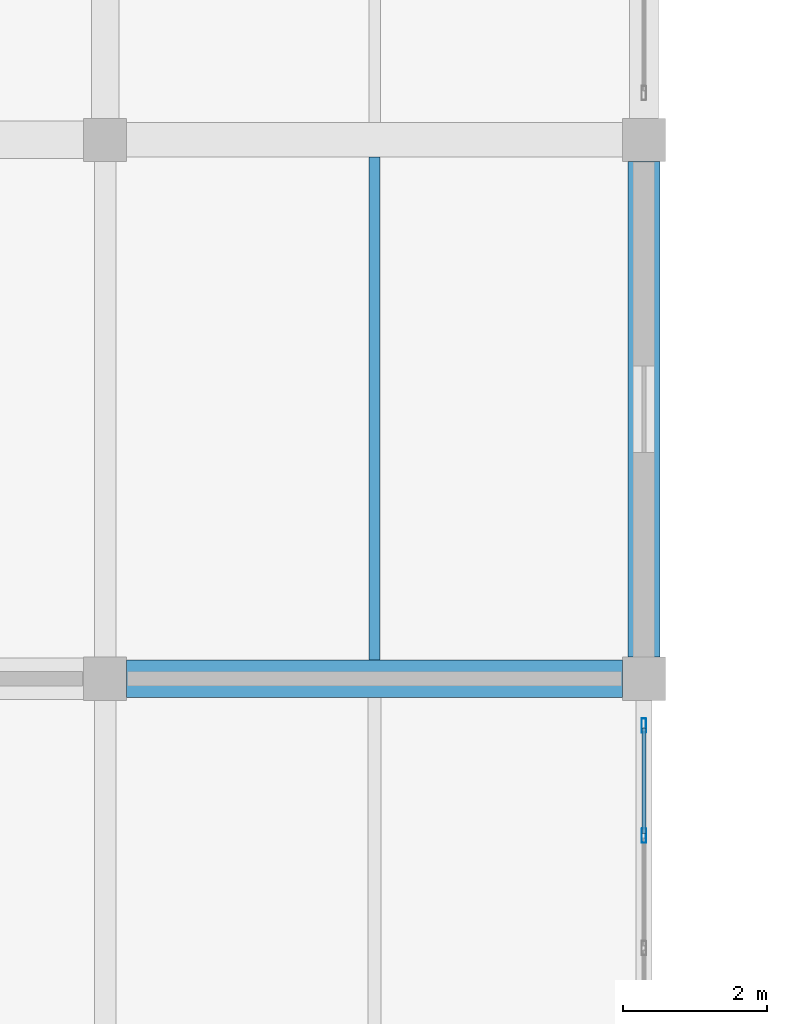
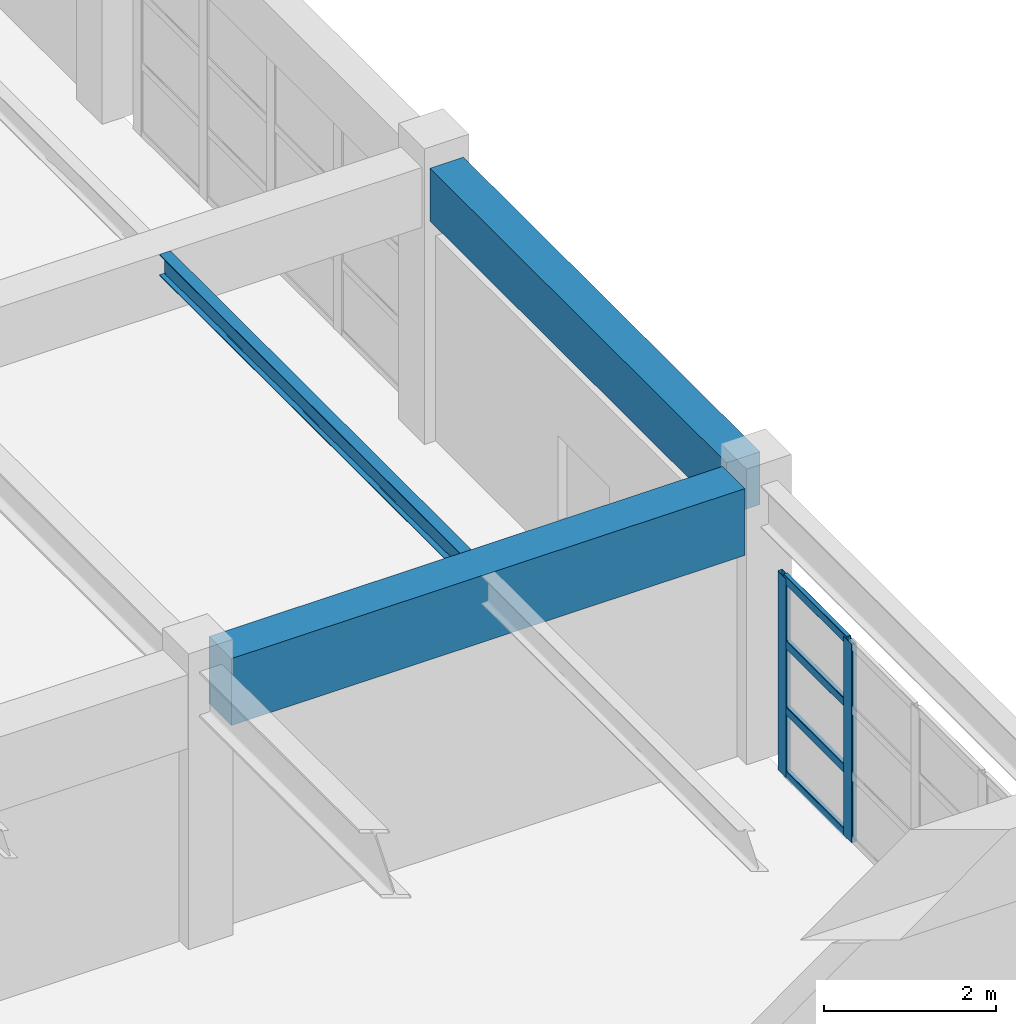
# One storey, part 48 of 124: 6 members, 3 beams, 1 element without a shape of its own.
"""IFC4 building model written with IfcOpenShell, lengths in metres."""

from ifc_helpers import new_model, si_unit, direction, frame, origin, origin_2d, place, context, subcontext, project, spatial, rectangle, hollow_rectangle, i_section, extrude, material, material_profile, profile_set, type_object, element, aggregate, save


model = new_model("IFC4")

# Units and contexts
model_context = context("Model", 3, precision=1e-05, world=origin(), true_north=direction((0.0, 1.0)))
body_context = subcontext(model_context, "Body", "Model", "MODEL_VIEW")
ifc_project = project(units=[si_unit("LENGTHUNIT", "METRE"), si_unit("AREAUNIT", "SQUARE_METRE"), si_unit("VOLUMEUNIT", "CUBIC_METRE"), si_unit("PLANEANGLEUNIT", "RADIAN"), si_unit("MASSUNIT", "GRAM", prefix="KILO")], contexts=[model_context])

# Site, building, storey
site_placement = place(None, origin())
site = spatial("IfcSite", under=ifc_project, at=site_placement, CompositionType="ELEMENT")
building_placement = place(site_placement, origin())
building = spatial("IfcBuilding", under=site, at=building_placement, Name="Qasida Concert Hall", CompositionType="ELEMENT")
storey_placement = place(building_placement, frame((0.0, 0.0, 9.0)))
storey = spatial("IfcBuildingStorey", under=building, at=storey_placement, Name="L02", CompositionType="ELEMENT", Elevation=9.0)

# Beams
ifc_material_1 = material(Name="Concrete C40/50", Category="concrete")
ifc_material_profile_1 = material_profile(ifc_material_1, rectangle(XDim=0.52001953125, YDim=0.949951171875, at=origin_2d()), Name="RC 520x950")
ifc_profile_set_1 = profile_set([ifc_material_profile_1], Name="Concrete C40/50")
beam_type_1 = type_object("IfcBeamType", Name="BM-G7", PredefinedType="USERDEFINED", material=ifc_profile_set_1)
beam_1_placement = place(storey_placement, frame((30.300048828125, 90.0, 3.425048828125), z_axis=(1.0, 0.0, 0.0), x_axis=(0.0, 1.0, 0.0)))
element("IfcBeam", 1, at=beam_1_placement, inside=storey, type_object=beam_type_1, Name="Primary girder 1449", ObjectType="GIRDER", PredefinedType="USERDEFINED", context=body_context, shape_type="SweptSolid", body=[
    extrude(rectangle(XDim=0.52001953125, YDim=0.949951171875, at=origin_2d()), origin(), (0.0, 0.0, 1.0), 6.89990234375),
])
ifc_material_2 = material(Name="Steel S355J2", Category="steel")
ifc_material_profile_2 = material_profile(ifc_material_2, i_section(OverallWidth=0.14990234375, OverallDepth=0.300048828125, WebThickness=0.007080078125, FlangeThickness=0.0107421875, FilletRadius=0.014892578125, at=origin_2d()), Name="IPE 300")
ifc_profile_set_2 = profile_set([ifc_material_profile_2], Name="Steel S355J2")
beam_type_2 = type_object("IfcBeamType", Name="BM-J4", PredefinedType="JOIST", material=ifc_profile_set_2)
beam_2_placement = place(storey_placement, frame((33.75, 90.260009765625, 3.75), z_axis=(0.0, 1.0, 0.0), x_axis=(-1.0, 0.0, 0.0)))
element("IfcBeam", 2, at=beam_2_placement, inside=storey, type_object=beam_type_2, Name="L02 secondary joist 1507", PredefinedType="JOIST", context=body_context, shape_type="SweptSolid", body=[
    extrude(i_section(OverallWidth=0.14990234375, OverallDepth=0.300048828125, WebThickness=0.007080078125, FlangeThickness=0.0107421875, FilletRadius=0.014892578125, at=origin_2d()), origin(), (0.0, 0.0, 1.0), 7.0),
])
ifc_material_profile_3 = material_profile(ifc_material_1, rectangle(XDim=0.449951171875, YDim=0.75, at=origin_2d()), Name="RC 450x750")
ifc_profile_set_3 = profile_set([ifc_material_profile_3], Name="Concrete C40/50")
beam_type_3 = type_object("IfcBeamType", Name="BM-SP4", PredefinedType="SPANDREL", material=ifc_profile_set_3)
beam_3_placement = place(storey_placement, frame((37.5, 90.300048828125, 3.52490234375), z_axis=(0.0, 1.0, 0.0), x_axis=(-1.0, 0.0, 0.0)))
element("IfcBeam", 3, at=beam_3_placement, inside=storey, type_object=beam_type_3, Name="L02 girder 1484", PredefinedType="SPANDREL", context=body_context, shape_type="SweptSolid", body=[
    extrude(rectangle(XDim=0.449951171875, YDim=0.75, at=origin_2d()), origin(), (0.0, 0.0, 1.0), 6.89990234375),
])

# Curtain wall, members
ifc_material_3 = material(Name="Architectural bronze-anodized aluminium and low-E glass", Category="aluminium")
curtain_wall_type = type_object("IfcCurtainWallType", Name="CW-08", PredefinedType="NOTDEFINED", material=ifc_material_3)
curtain_wall_placement = place(storey_placement, origin())
curtain_wall = element("IfcCurtainWall", 4, at=curtain_wall_placement, inside=storey, type_object=curtain_wall_type, Name="L02 curtain wall CW-08 0190", PredefinedType="NOTDEFINED")
ifc_material_4 = material(Name="Architectural bronze-anodized aluminium EN AW-6063", Category="aluminium")
ifc_material_profile_4 = material_profile(ifc_material_4, hollow_rectangle(XDim=0.06494140625, YDim=0.199951171875, WallThickness=0.0048828125, InnerFilletRadius=0.0048828125, OuterFilletRadius=0.010009765625, at=origin_2d()), Name="CWM 200x65x5")
ifc_profile_set_4 = profile_set([ifc_material_profile_4], Name="Architectural bronze-anodized aluminium EN AW-6063")
member_type_1 = type_object("IfcMemberType", Name="MB-CWM-2", PredefinedType="MULLION", material=ifc_profile_set_4)
member_1_placement = place(storey_placement, frame((37.5, 87.81494140625, 0.0), z_axis=(0.0, 0.0, 1.0), x_axis=(-1.0, 0.0, 0.0)))
member_1 = element("IfcMember", 5, at=member_1_placement, type_object=member_type_1, Name="CW-08 mullion 4", PredefinedType="MULLION", context=body_context, shape_type="SweptSolid", body=[
    extrude(hollow_rectangle(XDim=0.06494140625, YDim=0.199951171875, WallThickness=0.0048828125, InnerFilletRadius=0.0048828125, OuterFilletRadius=0.010009765625, at=origin_2d()), origin(), (0.0, 0.0, 1.0), 2.820068359375),
])
member_2_placement = place(storey_placement, frame((37.5, 89.347412109375, 0.0), z_axis=(0.0, 0.0, 1.0), x_axis=(-1.0, 0.0, 0.0)))
member_2 = element("IfcMember", 6, at=member_2_placement, type_object=member_type_1, Name="CW-08 mullion 5", PredefinedType="MULLION", context=body_context, shape_type="SweptSolid", body=[
    extrude(hollow_rectangle(XDim=0.06494140625, YDim=0.199951171875, WallThickness=0.0048828125, InnerFilletRadius=0.0048828125, OuterFilletRadius=0.010009765625, at=origin_2d()), origin(), (0.0, 0.0, 1.0), 2.820068359375),
])
ifc_material_profile_5 = material_profile(ifc_material_4, hollow_rectangle(XDim=0.06005859375, YDim=0.1201171875, WallThickness=0.00390625, InnerFilletRadius=0.00390625, OuterFilletRadius=0.008056640625, at=origin_2d()), Name="CWT 120x60x4")
ifc_profile_set_5 = profile_set([ifc_material_profile_5], Name="Architectural bronze-anodized aluminium EN AW-6063")
member_type_2 = type_object("IfcMemberType", Name="MB-CWT-2", PredefinedType="USERDEFINED", material=ifc_profile_set_5)
member_3_placement = place(storey_placement, frame((37.5, 87.847412109375, 0.030029296875), z_axis=(0.0, 1.0, 0.0), x_axis=(-1.0, 0.0, 0.0)))
member_3 = element("IfcMember", 7, at=member_3_placement, type_object=member_type_2, Name="CW-08 transom 4.1", ObjectType="TRANSOM", PredefinedType="USERDEFINED", context=body_context, shape_type="SweptSolid", body=[
    extrude(hollow_rectangle(XDim=0.06005859375, YDim=0.1201171875, WallThickness=0.00390625, InnerFilletRadius=0.00390625, OuterFilletRadius=0.008056640625, at=origin_2d()), origin(), (0.0, 0.0, 1.0), 1.467529296875),
])
member_4_placement = place(storey_placement, frame((37.5, 87.847412109375, 0.93994140625), z_axis=(0.0, 1.0, 0.0), x_axis=(-1.0, 0.0, 0.0)))
member_4 = element("IfcMember", 8, at=member_4_placement, type_object=member_type_2, Name="CW-08 transom 4.2", ObjectType="TRANSOM", PredefinedType="USERDEFINED", context=body_context, shape_type="SweptSolid", body=[
    extrude(hollow_rectangle(XDim=0.06005859375, YDim=0.1201171875, WallThickness=0.00390625, InnerFilletRadius=0.00390625, OuterFilletRadius=0.008056640625, at=origin_2d()), origin(), (0.0, 0.0, 1.0), 1.467529296875),
])
member_5_placement = place(storey_placement, frame((37.5, 87.847412109375, 1.8798828125), z_axis=(0.0, 1.0, 0.0), x_axis=(-1.0, 0.0, 0.0)))
member_5 = element("IfcMember", 9, at=member_5_placement, type_object=member_type_2, Name="CW-08 transom 4.3", ObjectType="TRANSOM", PredefinedType="USERDEFINED", context=body_context, shape_type="SweptSolid", body=[
    extrude(hollow_rectangle(XDim=0.06005859375, YDim=0.1201171875, WallThickness=0.00390625, InnerFilletRadius=0.00390625, OuterFilletRadius=0.008056640625, at=origin_2d()), origin(), (0.0, 0.0, 1.0), 1.467529296875),
])
member_6_placement = place(storey_placement, frame((37.5, 87.847412109375, 2.7900390625), z_axis=(0.0, 1.0, 0.0), x_axis=(-1.0, 0.0, 0.0)))
member_6 = element("IfcMember", 10, at=member_6_placement, type_object=member_type_2, Name="CW-08 transom 4.4", ObjectType="TRANSOM", PredefinedType="USERDEFINED", context=body_context, shape_type="SweptSolid", body=[
    extrude(hollow_rectangle(XDim=0.06005859375, YDim=0.1201171875, WallThickness=0.00390625, InnerFilletRadius=0.00390625, OuterFilletRadius=0.008056640625, at=origin_2d()), origin(), (0.0, 0.0, 1.0), 1.467529296875),
])
aggregate(curtain_wall, [member_1, member_2, member_3, member_4, member_5, member_6])

save(model, "model.ifc")
